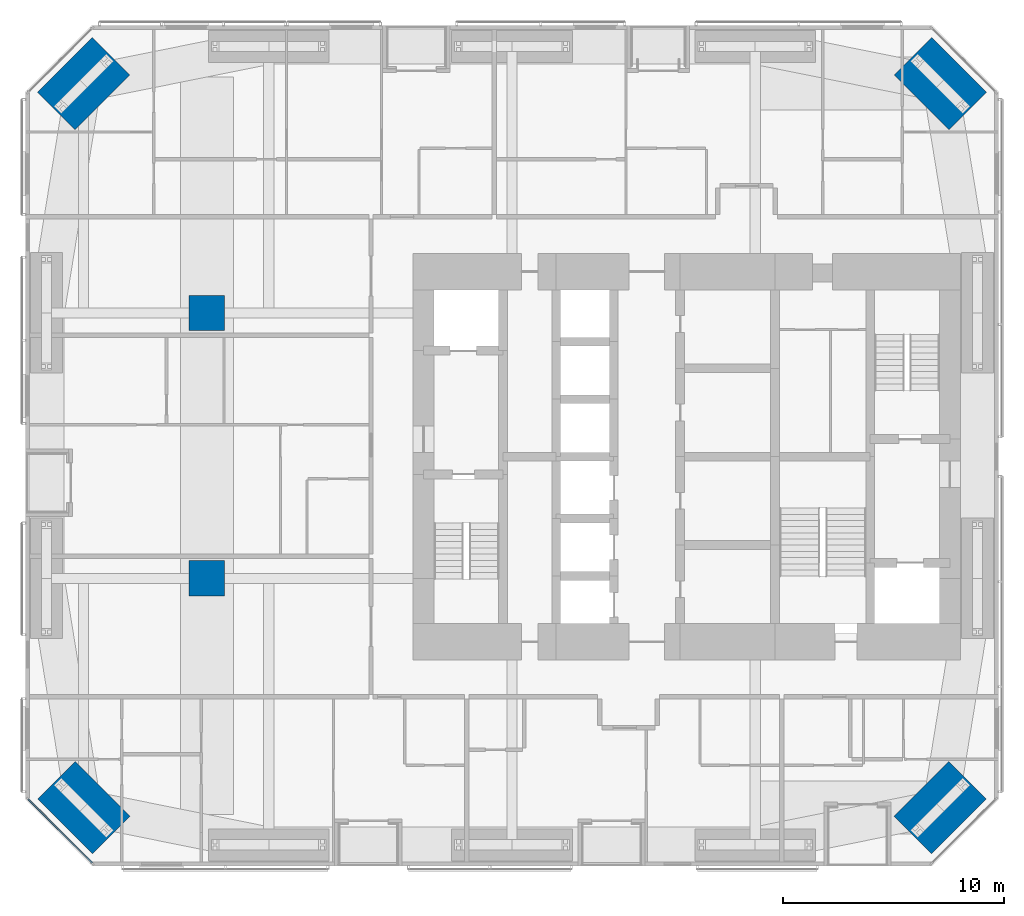
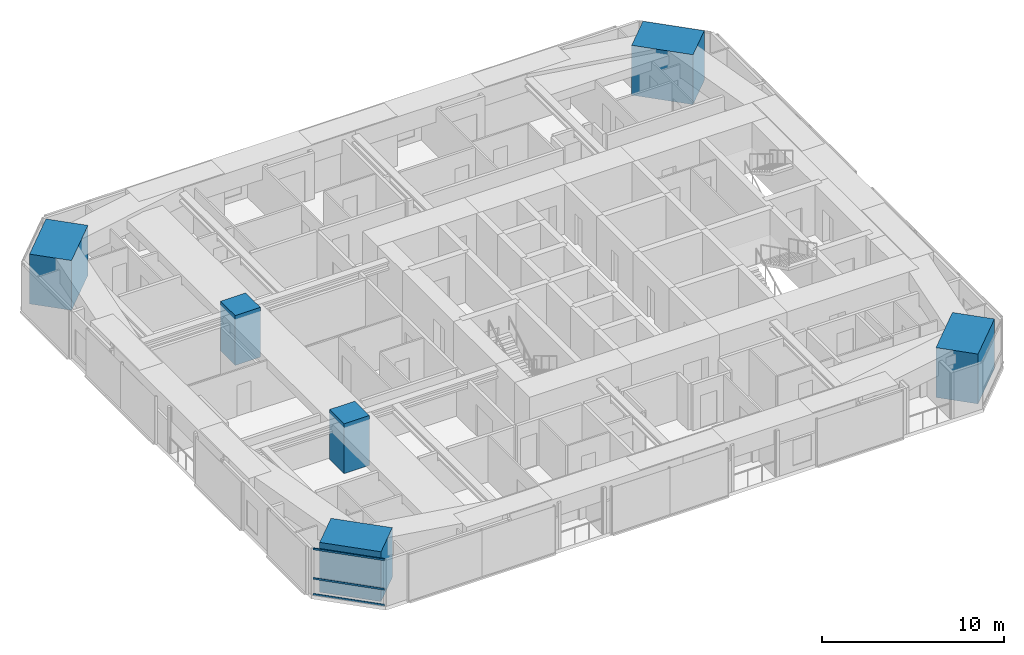
# One storey, part 1 of 23: 6 columns, 3 members, 1 element without a shape of its own.
"""IFC4 building model written with IfcOpenShell, lengths in metres."""

from ifc_helpers import new_model, si_unit, direction, frame, origin, origin_2d, place, context, subcontext, project, spatial, rectangle, extrude, material, material_profile, profile_set, type_object, element, aggregate, save


model = new_model("IFC4")

# Units and contexts
model_context = context("Model", 3, precision=1e-05, world=origin(), true_north=direction((0.0, 1.0)))
body_context = subcontext(model_context, "Body", "Model", "MODEL_VIEW")
ifc_project = project(units=[si_unit("LENGTHUNIT", "METRE"), si_unit("AREAUNIT", "SQUARE_METRE"), si_unit("VOLUMEUNIT", "CUBIC_METRE"), si_unit("PLANEANGLEUNIT", "RADIAN"), si_unit("MASSUNIT", "GRAM", prefix="KILO")], contexts=[model_context])

# Site, building, storey
site_placement = place(None, origin())
site = spatial("IfcSite", under=ifc_project, at=site_placement, CompositionType="ELEMENT")
building_placement = place(site_placement, origin())
building = spatial("IfcBuilding", under=site, at=building_placement, Name="Jalousie Tower", CompositionType="ELEMENT")
storey_placement = place(building_placement, frame((0.0, 0.0, 34.39990234375)))
storey = spatial("IfcBuildingStorey", under=building, at=storey_placement, Name="L08", CompositionType="ELEMENT", Elevation=34.39990234375)

# Columns
ifc_material_1 = material(Name="Concrete f'c 120 MPa", Category="concrete")
ifc_material_profile_1 = material_profile(ifc_material_1, rectangle(XDim=1.60009765625, YDim=1.60009765625, at=origin_2d()), Name="RC 1600x1600")
ifc_profile_set_1 = profile_set([ifc_material_profile_1], Name="Concrete f'c 120 MPa")
column_type_1 = type_object("IfcColumnType", Name="RC COLUMN 1600x1600", PredefinedType="COLUMN", material=ifc_profile_set_1)
for number, where, z_axis, x_axis, name in (
    (1, (10.199951171875, 13.0, 0.0), (0.0, 0.0, 1.0), (1.0, 0.0, 0.0), "Interior column IA1 L08"),
    (2, (10.199951171875, 25.0, 0.0), (0.0, 0.0, 1.0), (1.0, 0.0, 0.0), "Interior column IA2 L08"),
):
    element("IfcColumn", number, at=place(storey_placement, frame(where, z_axis=z_axis, x_axis=x_axis)), inside=storey, type_object=column_type_1, Name=name, PredefinedType="COLUMN", context=body_context, shape_type="SweptSolid", body=[
        extrude(rectangle(XDim=1.60009765625, YDim=1.60009765625, at=origin_2d()), origin(), (0.0, 0.0, 1.0), 3.35009765625),
    ])
ifc_material_2 = material(Name="Concrete f'c 120 MPa", Category="concrete")
ifc_material_profile_2 = material_profile(ifc_material_2, rectangle(XDim=2.39990234375, YDim=3.5, at=origin_2d()), Name="RC 2400x3500")
ifc_profile_set_2 = profile_set([ifc_material_profile_2], Name="Concrete f'c 120 MPa")
column_type_2 = type_object("IfcColumnType", Name="RC CORNER COLUMN 2400x3500", PredefinedType="COLUMN", material=ifc_profile_set_2)
for number, where, z_axis, x_axis, name in (
    (3, (4.63134765625, 2.63134765625, 0.0), (0.0, 0.0, 1.0), (0.707106781187, 0.707106781187, 0.0), "Corner column 01 L08"),
    (4, (43.36865234375, 2.63134765625, 0.0), (0.0, 0.0, 1.0), (-0.707106781187, 0.707106781187, 0.0), "Corner column 05 L08"),
    (5, (43.36865234375, 35.36865234375, 0.0), (0.0, 0.0, 1.0), (-0.707106781187, -0.707106781187, 0.0), "Corner column 08 L08"),
    (6, (4.63134765625, 35.36865234375, 0.0), (0.0, 0.0, 1.0), (0.707106781187, -0.707106781187, 0.0), "Corner column 12 L08"),
):
    element("IfcColumn", number, at=place(storey_placement, frame(where, z_axis=z_axis, x_axis=x_axis)), inside=storey, type_object=column_type_2, Name=name, PredefinedType="COLUMN", context=body_context, shape_type="SweptSolid", body=[
        extrude(rectangle(XDim=2.39990234375, YDim=3.5, at=origin_2d()), origin(), (0.0, 0.0, 1.0), 3.35009765625),
    ])

# Curtain wall, members
ifc_material_3 = material(Name="Aluminium curtain wall", Category="aluminium")
curtain_wall_type = type_object("IfcCurtainWallType", Name="CORNER WINDOW WALL", PredefinedType="USERDEFINED", material=ifc_material_3)
curtain_wall_placement = place(storey_placement, origin())
curtain_wall = element("IfcCurtainWall", 7, at=curtain_wall_placement, inside=storey, type_object=curtain_wall_type, Name="Corner Window Wall L08 8", ObjectType="CORNER WINDOW WALL", PredefinedType="USERDEFINED")
ifc_material_4 = material(Name="Aluminium transom", Category="aluminium")
ifc_material_profile_3 = material_profile(ifc_material_4, rectangle(XDim=0.06005859375, YDim=0.1201171875, at=origin_2d()), Name="TRANSOM 60x120")
ifc_profile_set_3 = profile_set([ifc_material_profile_3], Name="Aluminium transom")
member_type = type_object("IfcMemberType", Name="CORNER WINDOW WALL TRANSOM", PredefinedType="USERDEFINED", material=ifc_profile_set_3)
member_1_placement = place(storey_placement, frame((2.1298828125, 3.0087890625, 0.030029296875), z_axis=(0.707106781187, -0.707106781187, 0.0), x_axis=(0.707106781187, 0.707106781187, 0.0)))
member_1 = element("IfcMember", 8, at=member_1_placement, type_object=member_type, Name="CW-C transom 1.1", ObjectType="TRANSOM", PredefinedType="USERDEFINED", context=body_context, shape_type="SweptSolid", body=[
    extrude(rectangle(XDim=0.06005859375, YDim=0.1201171875, at=origin_2d()), origin(), (0.0, 0.0, 1.0), 4.0712890625),
])
member_2_placement = place(storey_placement, frame((2.1298828125, 3.0087890625, 1.10009765625), z_axis=(0.707106781187, -0.707106781187, 0.0), x_axis=(0.707106781187, 0.707106781187, 0.0)))
member_2 = element("IfcMember", 9, at=member_2_placement, type_object=member_type, Name="CW-C transom 1.2", ObjectType="TRANSOM", PredefinedType="USERDEFINED", context=body_context, shape_type="SweptSolid", body=[
    extrude(rectangle(XDim=0.06005859375, YDim=0.1201171875, at=origin_2d()), origin(), (0.0, 0.0, 1.0), 4.0712890625),
])
member_3_placement = place(storey_placement, frame((2.1298828125, 3.0087890625, 3.080078125), z_axis=(0.707106781187, -0.707106781187, 0.0), x_axis=(0.707106781187, 0.707106781187, 0.0)))
member_3 = element("IfcMember", 10, at=member_3_placement, type_object=member_type, Name="CW-C transom 1.3", ObjectType="TRANSOM", PredefinedType="USERDEFINED", context=body_context, shape_type="SweptSolid", body=[
    extrude(rectangle(XDim=0.06005859375, YDim=0.1201171875, at=origin_2d()), origin(), (0.0, 0.0, 1.0), 4.0712890625),
])
aggregate(curtain_wall, [member_1, member_2, member_3])

save(model, "model.ifc")
